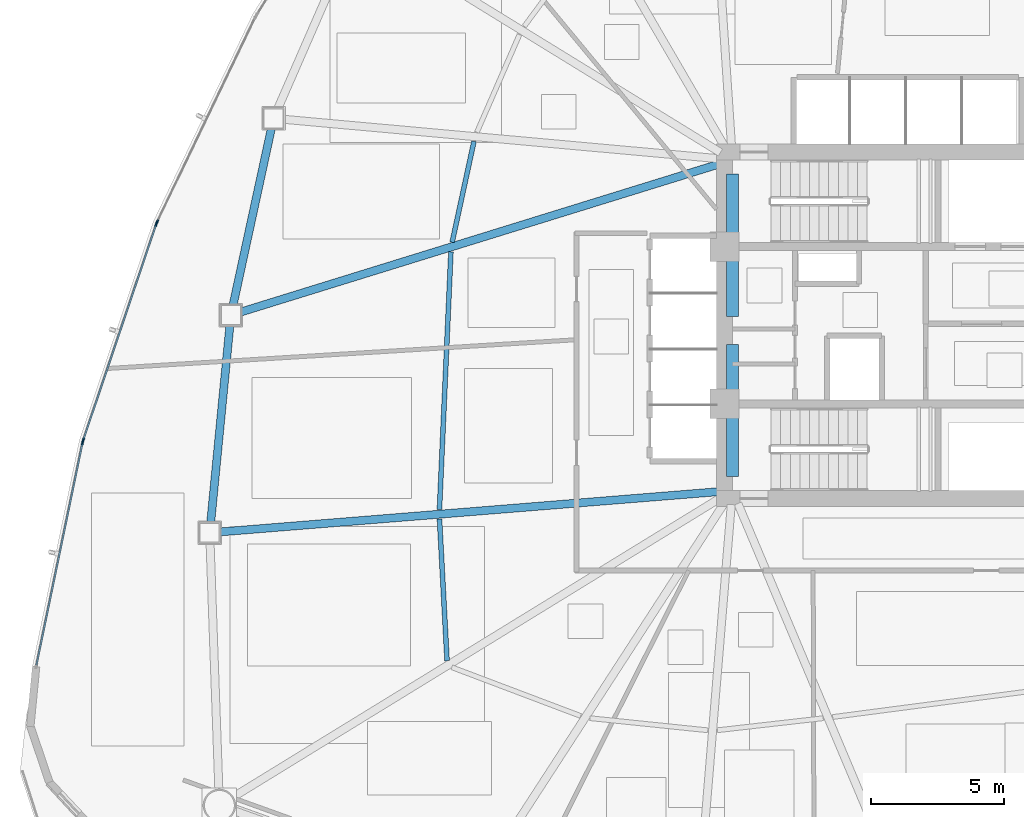
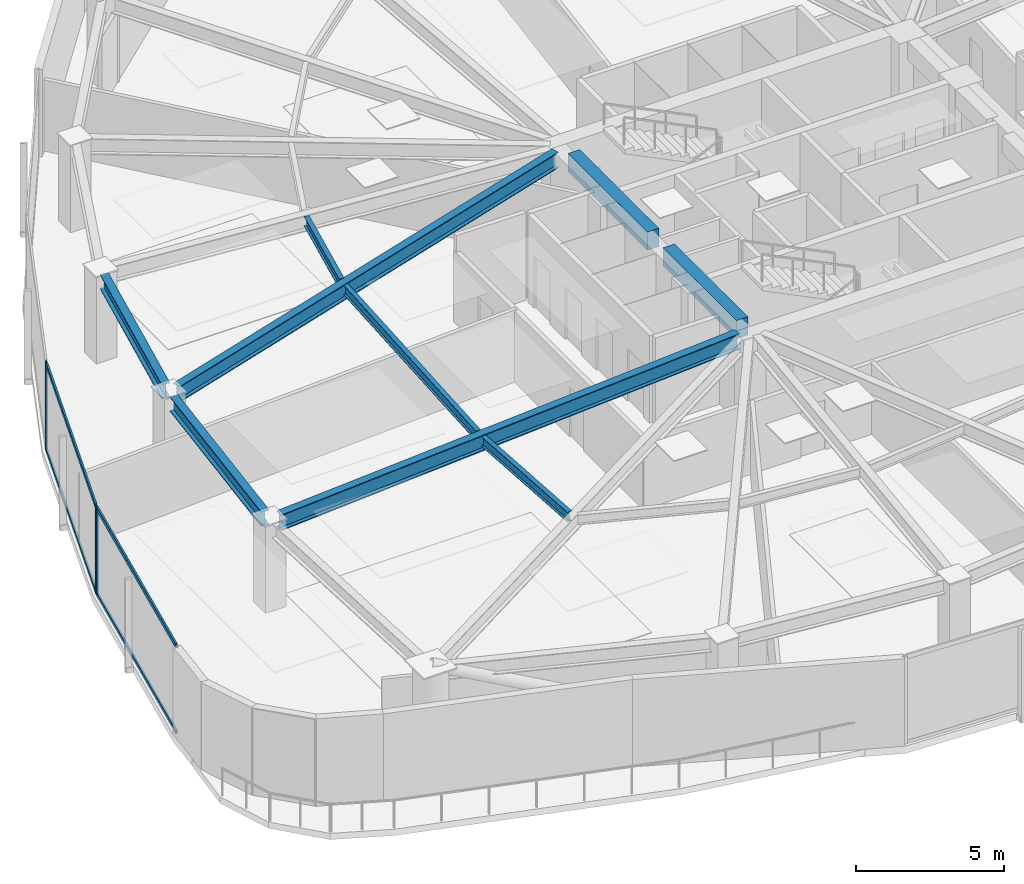
# One storey, part 4 of 19: 9 beams, 8 members, 3 elements without a shape of their own.
"""IFC4 building model written with IfcOpenShell, lengths in metres."""

from ifc_helpers import new_model, si_unit, direction, frame, origin, origin_2d, place, context, subcontext, project, spatial, rectangle, hollow_rectangle, i_section, extrude, source, transform, mapped, material, layer, layer_set, material_profile, profile_set, type_object, type_shapes, element, aggregate, save


model = new_model("IFC4")

# Units and contexts
model_context = context("Model", 3, precision=1e-05, world=origin(), true_north=direction((0.0, 1.0)))
body_context = subcontext(model_context, "Body", "Model", "MODEL_VIEW")
ifc_project = project(units=[si_unit("LENGTHUNIT", "METRE"), si_unit("AREAUNIT", "SQUARE_METRE"), si_unit("VOLUMEUNIT", "CUBIC_METRE"), si_unit("PLANEANGLEUNIT", "RADIAN"), si_unit("MASSUNIT", "GRAM", prefix="KILO")], contexts=[model_context])

# Site, building, storey
site_placement = place(None, origin())
site = spatial("IfcSite", under=ifc_project, at=site_placement, CompositionType="ELEMENT")
building_placement = place(site_placement, origin())
building = spatial("IfcBuilding", under=site, at=building_placement, Name="Tavelor Broadcast Tower", CompositionType="ELEMENT")
storey_placement = place(building_placement, frame((0.0, 0.0, 27.60009765625)))
storey = spatial("IfcBuildingStorey", under=building, at=storey_placement, Name="L05", CompositionType="ELEMENT", Elevation=27.60009765625)

# Beams
ifc_material_1 = material(Name="Concrete C40/50", Category="concrete")
ifc_material_profile_1 = material_profile(ifc_material_1, rectangle(XDim=0.449951171875, YDim=0.75, at=origin_2d()), Name="RC 450x750")
ifc_profile_set_1 = profile_set([ifc_material_profile_1], Name="Concrete C40/50")
beam_type_1 = type_object("IfcBeamType", Name="Basement Core Trim Beam 450x750", PredefinedType="BEAM", material=ifc_profile_set_1)
beam_1_placement = place(storey_placement, frame((43.39990234375, 45.327880859375, 3.224853515625), z_axis=(0.0, 1.0, 0.0), x_axis=(-1.0, 0.0, 0.0)))
element("IfcBeam", 1, at=beam_1_placement, inside=storey, type_object=beam_type_1, Name="L05 Core West-N Tie Girder", PredefinedType="BEAM", context=body_context, shape_type="SweptSolid", body=[
    extrude(rectangle(XDim=0.449951171875, YDim=0.75, at=origin_2d()), origin(), (0.0, 0.0, 1.0), 5.34423828125),
])
beam_2_placement = place(storey_placement, frame((43.39990234375, 39.327880859375, 3.224853515625), z_axis=(0.0, 1.0, 0.0), x_axis=(-1.0, 0.0, 0.0)))
element("IfcBeam", 2, at=beam_2_placement, inside=storey, type_object=beam_type_1, Name="L05 Core West-S Tie Girder", PredefinedType="BEAM", context=body_context, shape_type="SweptSolid", body=[
    extrude(rectangle(XDim=0.449951171875, YDim=0.75, at=origin_2d()), origin(), (0.0, 0.0, 1.0), 4.944091796875),
])
ifc_material_2 = material(Name="Steel S355", Category="steel")
ifc_material_profile_2 = material_profile(ifc_material_2, i_section(OverallWidth=0.179931640625, OverallDepth=0.39990234375, WebThickness=0.008544921875, FlangeThickness=0.013427734375, at=origin_2d()), Name="IPE 400")
ifc_profile_set_2 = profile_set([ifc_material_profile_2], Name="Steel S355")
beam_type_2 = type_object("IfcBeamType", Name="Composite Floor Joist T1 IPE 400", PredefinedType="JOIST", material=ifc_profile_set_2)
beam_3_placement = place(storey_placement, frame((33.70654296875, 51.897216796875, 3.39990234375), z_axis=(-0.211371868345, -0.977405715797, 0.0), x_axis=(0.977405715797, -0.211371868345, 0.0)))
element("IfcBeam", 3, at=beam_3_placement, inside=storey, type_object=beam_type_2, Name="L05 Secondary Composite Floor Joist 04", PredefinedType="JOIST", context=body_context, shape_type="SweptSolid", body=[
    extrude(i_section(OverallWidth=0.179931640625, OverallDepth=0.39990234375, WebThickness=0.008544921875, FlangeThickness=0.013427734375, at=origin_2d()), origin(), (0.0, 0.0, 1.0), 3.87158203125),
])
beam_4_placement = place(storey_placement, frame((32.841796875, 47.75537109375, 3.39990234375), z_axis=(-0.044449316538, -0.999011640703, 0.0), x_axis=(0.999011640703, -0.044449316538, 0.0)))
element("IfcBeam", 4, at=beam_4_placement, inside=storey, type_object=beam_type_2, Name="L05 Secondary Composite Floor Joist 05", PredefinedType="JOIST", context=body_context, shape_type="SweptSolid", body=[
    extrude(i_section(OverallWidth=0.179931640625, OverallDepth=0.39990234375, WebThickness=0.008544921875, FlangeThickness=0.013427734375, at=origin_2d()), origin(), (0.0, 0.0, 1.0), 9.67236328125),
])
beam_5_placement = place(storey_placement, frame((32.413330078125, 37.73095703125, 3.39990234375), z_axis=(0.053261912521, -0.998580576956, 0.0), x_axis=(0.998580576956, 0.053261912521, 0.0)))
element("IfcBeam", 5, at=beam_5_placement, inside=storey, type_object=beam_type_2, Name="L05 Secondary Composite Floor Joist 06", PredefinedType="JOIST", context=body_context, shape_type="SweptSolid", body=[
    extrude(i_section(OverallWidth=0.179931640625, OverallDepth=0.39990234375, WebThickness=0.008544921875, FlangeThickness=0.013427734375, at=origin_2d()), origin(), (0.0, 0.0, 1.0), 5.32177734375),
])
ifc_material_profile_3 = material_profile(ifc_material_2, i_section(OverallWidth=0.300048828125, OverallDepth=0.60009765625, WebThickness=0.015380859375, FlangeThickness=0.030029296875, at=origin_2d()), Name="HEB 600")
ifc_profile_set_3 = profile_set([ifc_material_profile_3], Name="Steel S355")
beam_type_3 = type_object("IfcBeamType", Name="Perimeter Spandrel Beam T1 HEB 600", PredefinedType="SPANDREL", material=ifc_profile_set_3)
beam_6_placement = place(storey_placement, frame((26.10791015625, 52.3828125, 3.2998046875), z_axis=(-0.211857092451, -0.977300656082, 0.0), x_axis=(0.977300656082, -0.211857092451, 0.0)))
element("IfcBeam", 6, at=beam_6_placement, inside=storey, type_object=beam_type_3, Name="L05 Framed-Tube Ring Spandrel 04", PredefinedType="SPANDREL", context=body_context, shape_type="SweptSolid", body=[
    extrude(i_section(OverallWidth=0.300048828125, OverallDepth=0.60009765625, WebThickness=0.015380859375, FlangeThickness=0.030029296875, at=origin_2d()), origin(), (0.0, 0.0, 1.0), 6.780517578125),
])
beam_7_placement = place(storey_placement, frame((24.552734375, 44.99853515625, 3.2998046875), z_axis=(-0.096967474029, -0.995287550902, 0.0), x_axis=(0.995287550902, -0.096967474029, 0.0)))
element("IfcBeam", 7, at=beam_7_placement, inside=storey, type_object=beam_type_3, Name="L05 Framed-Tube Ring Spandrel 05", PredefinedType="SPANDREL", context=body_context, shape_type="SweptSolid", body=[
    extrude(i_section(OverallWidth=0.300048828125, OverallDepth=0.60009765625, WebThickness=0.015380859375, FlangeThickness=0.030029296875, at=origin_2d()), origin(), (0.0, 0.0, 1.0), 7.43505859375),
])
ifc_material_profile_4 = material_profile(ifc_material_2, i_section(OverallWidth=0.300048828125, OverallDepth=0.64990234375, WebThickness=0.01611328125, FlangeThickness=0.031005859375, at=origin_2d()), Name="HEB 650")
ifc_profile_set_4 = profile_set([ifc_material_profile_4], Name="Steel S355")
beam_type_4 = type_object("IfcBeamType", Name="Radial Floor Girder T1 HEB 650", PredefinedType="BEAM", material=ifc_profile_set_4)
beam_8_placement = place(storey_placement, frame((42.8955078125, 51.0439453125, 3.27490234375), z_axis=(-0.955325842182, -0.29555462314, 0.0), x_axis=(0.29555462314, -0.955325842182, 0.0)))
element("IfcBeam", 8, at=beam_8_placement, inside=storey, type_object=beam_type_4, Name="L05 Radial Primary Floor Girder 05", PredefinedType="BEAM", context=body_context, shape_type="SweptSolid", body=[
    extrude(i_section(OverallWidth=0.300048828125, OverallDepth=0.64990234375, WebThickness=0.01611328125, FlangeThickness=0.031005859375, at=origin_2d()), origin(), (0.0, 0.0, 1.0), 18.777587890625),
])
beam_9_placement = place(storey_placement, frame((42.873779296875, 38.757568359375, 3.27490234375), z_axis=(-0.996753315624, -0.080516009538, 0.0), x_axis=(0.080516009538, -0.996753315624, 0.0)))
element("IfcBeam", 9, at=beam_9_placement, inside=storey, type_object=beam_type_4, Name="L05 Radial Primary Floor Girder 06", PredefinedType="BEAM", context=body_context, shape_type="SweptSolid", body=[
    extrude(i_section(OverallWidth=0.300048828125, OverallDepth=0.64990234375, WebThickness=0.01611328125, FlangeThickness=0.031005859375, at=origin_2d()), origin(), (0.0, 0.0, 1.0), 18.757080078125),
])

# Curtain wall, member
ifc_material_3 = material(Name="Architectural Anodized Aluminium", Category="aluminium")
ifc_layer = layer(ifc_material_3, 0.179931640625)
ifc_layer_set = layer_set([ifc_layer], Name="Architectural Anodized Aluminium")
curtain_wall_type = type_object("IfcCurtainWallType", Name="Tower Low-Zone Unitised Curtain Wall CW02", PredefinedType="NOTDEFINED", material=ifc_layer_set)
curtain_wall_1_placement = place(storey_placement, origin())
curtain_wall_1 = element("IfcCurtainWall", 10, at=curtain_wall_1_placement, inside=storey, type_object=curtain_wall_type, Name="L05 Curtain Wall CW02 Run 14", PredefinedType="NOTDEFINED")
ifc_material_profile_5 = material_profile(ifc_material_3, hollow_rectangle(XDim=0.06494140625, YDim=0.179931640625, WallThickness=0.02197265625, at=origin_2d()), Name="RHS 65x180x22")
ifc_profile_set_5 = profile_set([ifc_material_profile_5], Name="Architectural Anodized Aluminium")
member_type_1 = type_object("IfcMemberType", Name="CW02 Extruded Aluminium Mullion 65x180", PredefinedType="MULLION", material=ifc_profile_set_5)
shared_shape_1 = source(origin(), body_context, "Body", "SweptSolid", [
    extrude(hollow_rectangle(XDim=0.06494140625, YDim=0.179931640625, WallThickness=0.02197265625, at=origin_2d()), origin(), (0.0, 0.0, 1.0), 3.599853515625),
])
type_shapes(member_type_1, [shared_shape_1])
member_1_placement = place(storey_placement, frame((21.82275390625, 48.869384765625, 0.0), z_axis=(0.0, 0.0, 1.0), x_axis=(0.901646514165, -0.43247377203, 0.0)))
member_1 = element("IfcMember", 11, at=member_1_placement, type_object=member_type_1, Name="CW02 mullion 2", PredefinedType="MULLION", context=body_context, shape_type="MappedRepresentation", body=[
    mapped(shared_shape_1, transform((0.0, 0.0, 0.0), scale=1.0)),
])
aggregate(curtain_wall_1, [member_1])

# Curtain wall, members
curtain_wall_2_placement = place(storey_placement, origin())
curtain_wall_2 = element("IfcCurtainWall", 12, at=curtain_wall_2_placement, inside=storey, type_object=curtain_wall_type, Name="L05 Curtain Wall CW02 Run 15", PredefinedType="NOTDEFINED")
member_2_placement = place(storey_placement, frame((21.787109375, 48.781494140625, 0.0), z_axis=(0.0, 0.0, 1.0), x_axis=(0.947356061578, -0.320181967935, 0.0)))
member_2 = element("IfcMember", 13, at=member_2_placement, type_object=member_type_1, Name="CW02 mullion 1", PredefinedType="MULLION", context=body_context, shape_type="MappedRepresentation", body=[
    mapped(shared_shape_1, transform((0.0, 0.0, 0.0), scale=1.0)),
])
member_3_placement = place(storey_placement, frame((19.052490234375, 40.691162109375, 0.0), z_axis=(0.0, 0.0, 1.0), x_axis=(0.947356061578, -0.320181967935, 0.0)))
member_3 = element("IfcMember", 14, at=member_3_placement, type_object=member_type_1, Name="CW02 mullion 2", PredefinedType="MULLION", context=body_context, shape_type="MappedRepresentation", body=[
    mapped(shared_shape_1, transform((0.0, 0.0, 0.0), scale=1.0)),
])

# Curtain wall, member
curtain_wall_3_placement = place(storey_placement, origin())
curtain_wall_3 = element("IfcCurtainWall", 15, at=curtain_wall_3_placement, inside=storey, type_object=curtain_wall_type, Name="L05 Curtain Wall CW02 Run 16", PredefinedType="NOTDEFINED")
member_4_placement = place(storey_placement, frame((19.027587890625, 40.599609375, 0.0), z_axis=(0.0, 0.0, 1.0), x_axis=(0.979139541834, -0.203188970216, 0.0)))
member_4 = element("IfcMember", 16, at=member_4_placement, type_object=member_type_1, Name="CW02 mullion 1", PredefinedType="MULLION", context=body_context, shape_type="MappedRepresentation", body=[
    mapped(shared_shape_1, transform((0.0, 0.0, 0.0), scale=1.0)),
])

# Member
ifc_material_profile_6 = material_profile(ifc_material_3, hollow_rectangle(XDim=0.06494140625, YDim=0.179931640625, WallThickness=0.02197265625, at=origin_2d()), Name="RHS 65x180x22")
ifc_profile_set_6 = profile_set([ifc_material_profile_6], Name="Architectural Anodized Aluminium")
member_type_2 = type_object("IfcMemberType", Name="CW02 Extruded Aluminium Transom 65x180", PredefinedType="USERDEFINED", material=ifc_profile_set_6)
shared_shape_2 = source(origin(), body_context, "Body", "SweptSolid", [
    extrude(hollow_rectangle(XDim=0.06494140625, YDim=0.179931640625, WallThickness=0.02197265625, at=origin_2d()), origin(), (0.0, 0.0, 1.0), 8.47509765625),
])
member_5_placement = place(storey_placement, frame((21.776611328125, 48.750732421875, 0.032470703125), z_axis=(-0.320191749623, -0.947352755563, 0.0), x_axis=(0.947352755563, -0.320191749623, 0.0)))
member_5 = element("IfcMember", 17, at=member_5_placement, type_object=member_type_2, Name="CW02 transom 1.1", ObjectType="TRANSOM", PredefinedType="USERDEFINED", context=body_context, shape_type="MappedRepresentation", body=[
    mapped(shared_shape_2, transform((0.0, 0.0, 0.0), scale=1.0)),
])

member_6_placement = place(storey_placement, frame((21.776611328125, 48.750732421875, 3.5673828125), z_axis=(-0.320191749623, -0.947352755563, 0.0), x_axis=(0.947352755563, -0.320191749623, 0.0)))
member_6 = element("IfcMember", 18, at=member_6_placement, type_object=member_type_2, Name="CW02 transom 1.2", ObjectType="TRANSOM", PredefinedType="USERDEFINED", context=body_context, shape_type="MappedRepresentation", body=[
    mapped(shared_shape_2, transform((0.0, 0.0, 0.0), scale=1.0)),
])

aggregate(curtain_wall_2, [member_2, member_3, member_5, member_6])

shared_shape_3 = source(origin(), body_context, "Body", "SweptSolid", [
    extrude(hollow_rectangle(XDim=0.06494140625, YDim=0.179931640625, WallThickness=0.02197265625, at=origin_2d()), origin(), (0.0, 0.0, 1.0), 8.490966796875),
])
type_shapes(member_type_2, [shared_shape_2, shared_shape_3])
member_7_placement = place(storey_placement, frame((19.02099609375, 40.56787109375, 0.032470703125), z_axis=(-0.203166526978, -0.979144198939, 0.0), x_axis=(0.979144198939, -0.203166526978, 0.0)))
member_7 = element("IfcMember", 19, at=member_7_placement, type_object=member_type_2, Name="CW02 transom 1.1", ObjectType="TRANSOM", PredefinedType="USERDEFINED", context=body_context, shape_type="MappedRepresentation", body=[
    mapped(shared_shape_3, transform((0.0, 0.0, 0.0), scale=1.0)),
])

member_8_placement = place(storey_placement, frame((19.02099609375, 40.56787109375, 3.5673828125), z_axis=(-0.203166526978, -0.979144198939, 0.0), x_axis=(0.979144198939, -0.203166526978, 0.0)))
member_8 = element("IfcMember", 20, at=member_8_placement, type_object=member_type_2, Name="CW02 transom 1.2", ObjectType="TRANSOM", PredefinedType="USERDEFINED", context=body_context, shape_type="MappedRepresentation", body=[
    mapped(shared_shape_3, transform((0.0, 0.0, 0.0), scale=1.0)),
])

aggregate(curtain_wall_3, [member_4, member_7, member_8])

save(model, "model.ifc")
